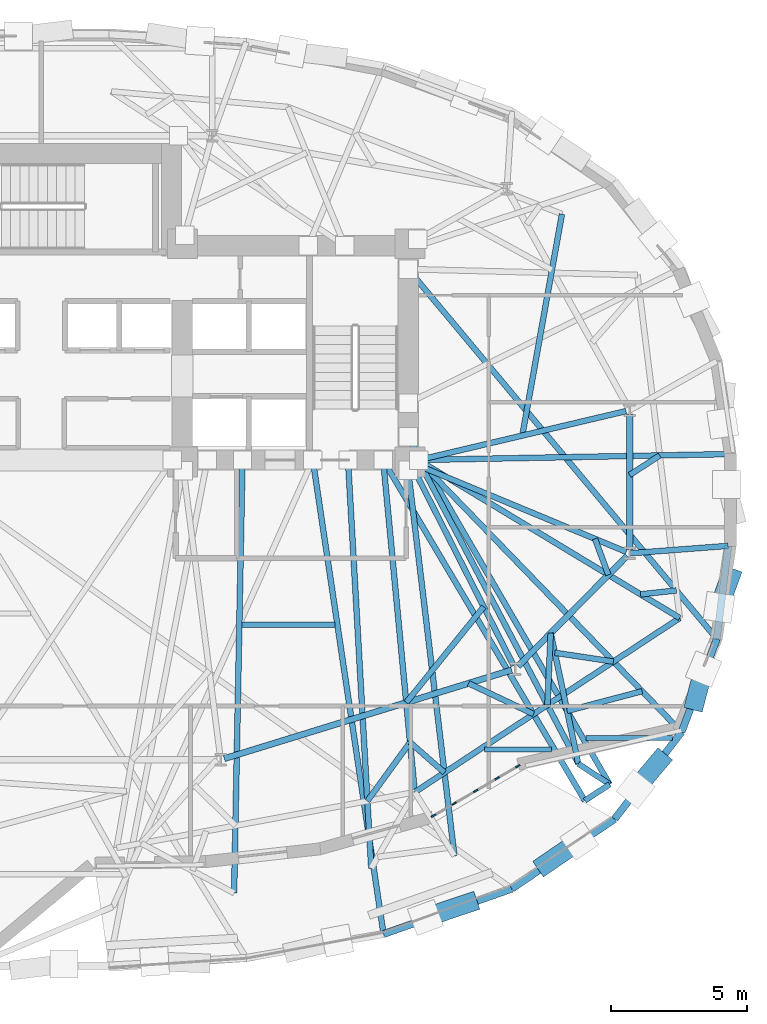
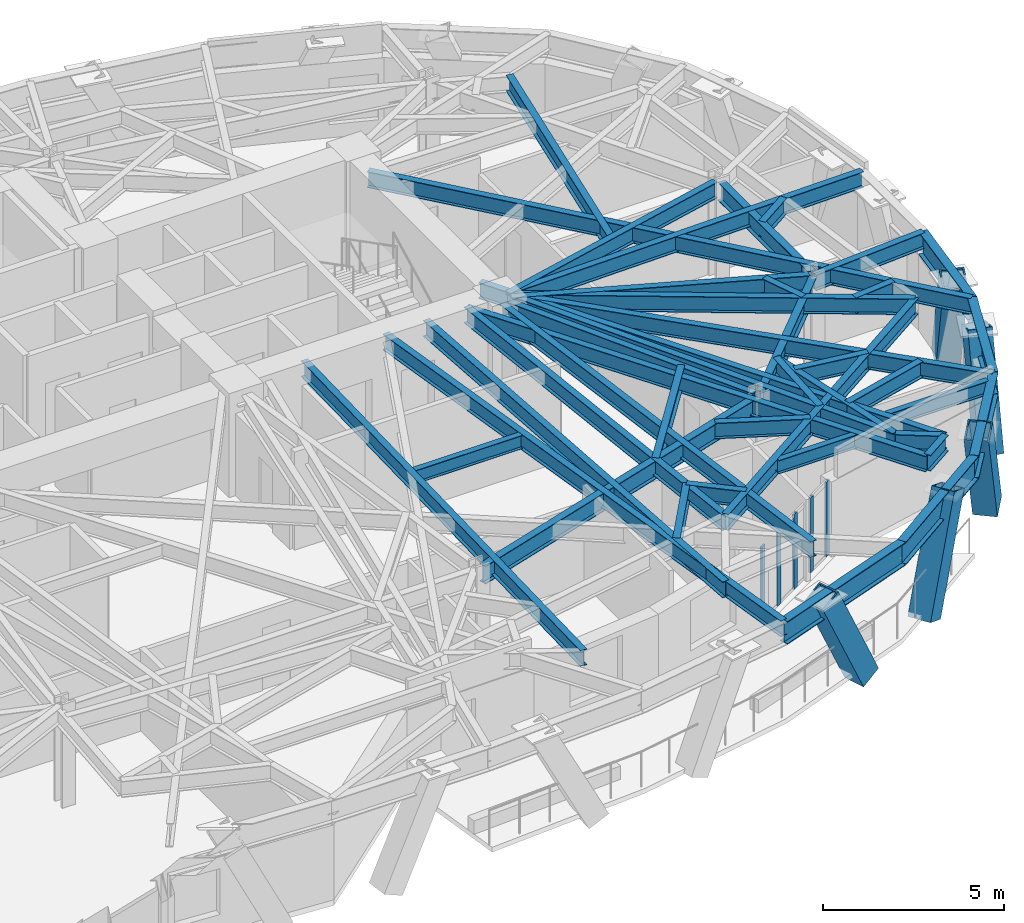
# One storey, part 4 of 14: 42 beams, 10 members, 1 element without a shape of its own.
"""IFC4 building model written with IfcOpenShell, lengths in metres."""

from ifc_helpers import new_model, si_unit, direction, frame, origin, origin_2d, place, context, subcontext, project, spatial, rectangle, hollow_rectangle, i_section, extrude, material, layer, layer_set, material_profile, profile_set, type_object, element, aggregate, save


model = new_model("IFC4")

# Units and contexts
model_context = context("Model", 3, precision=1e-05, world=origin(), true_north=direction((0.0, 1.0)))
body_context = subcontext(model_context, "Body", "Model", "MODEL_VIEW")
ifc_project = project(units=[si_unit("LENGTHUNIT", "METRE"), si_unit("AREAUNIT", "SQUARE_METRE"), si_unit("VOLUMEUNIT", "CUBIC_METRE"), si_unit("PLANEANGLEUNIT", "RADIAN"), si_unit("MASSUNIT", "GRAM", prefix="KILO")], contexts=[model_context])

# Site, building, storey
site_placement = place(None, origin())
site = spatial("IfcSite", under=ifc_project, at=site_placement, CompositionType="ELEMENT")
building_placement = place(site_placement, origin())
building = spatial("IfcBuilding", under=site, at=building_placement, Name="Keldmark Tower", CompositionType="ELEMENT")
storey_placement = place(building_placement, frame((0.0, 0.0, 128.10009765625)))
storey = spatial("IfcBuildingStorey", under=building, at=storey_placement, Name="L34", CompositionType="ELEMENT", Elevation=128.10009765625)

# Beams
ifc_material_1 = material(Name="Steel ASTM A992 Grade 50", Category="steel")
ifc_material_profile_1 = material_profile(ifc_material_1, i_section(OverallWidth=0.19091796875, OverallDepth=0.45703125, WebThickness=0.009033203125, FlangeThickness=0.014404296875, at=origin_2d()), Name="W18X50")
ifc_profile_set_1 = profile_set([ifc_material_profile_1], Name="Steel ASTM A992 Grade 50")
beam_type_1 = type_object("IfcBeamType", Name="Composite Floor Joist W18X50", PredefinedType="JOIST", material=ifc_profile_set_1)
beam_1_placement = place(storey_placement, frame((16.343994140625, -9.199951171875, 3.081298828125), z_axis=(1.0, 0.0, 0.0), x_axis=(0.0, 1.0, 0.0)))
element("IfcBeam", 1, at=beam_1_placement, inside=storey, type_object=beam_type_1, Name="L34 Composite Floor Joist J02", PredefinedType="JOIST", context=body_context, shape_type="SweptSolid", body=[
    extrude(i_section(OverallWidth=0.19091796875, OverallDepth=0.45703125, WebThickness=0.009033203125, FlangeThickness=0.014404296875, at=origin_2d()), origin(), (0.0, 0.0, 1.0), 2.465087890625),
])
beam_2_placement = place(storey_placement, frame((20.08203125, -8.780029296875, 3.081298828125), z_axis=(1.0, 0.0, 0.0), x_axis=(0.0, 1.0, 0.0)))
element("IfcBeam", 2, at=beam_2_placement, inside=storey, type_object=beam_type_1, Name="L34 Composite Floor Joist J03", PredefinedType="JOIST", context=body_context, shape_type="SweptSolid", body=[
    extrude(i_section(OverallWidth=0.19091796875, OverallDepth=0.45703125, WebThickness=0.009033203125, FlangeThickness=0.014404296875, at=origin_2d()), origin(), (0.0, 0.0, 1.0), 3.195556640625),
])
beam_3_placement = place(storey_placement, frame((7.3974609375, -4.60009765625, 3.081298828125), z_axis=(1.0, 0.0, 0.0), x_axis=(0.0, 1.0, 0.0)))
element("IfcBeam", 3, at=beam_3_placement, inside=storey, type_object=beam_type_1, Name="L34 Composite Floor Joist J06", PredefinedType="JOIST", context=body_context, shape_type="SweptSolid", body=[
    extrude(i_section(OverallWidth=0.19091796875, OverallDepth=0.45703125, WebThickness=0.009033203125, FlangeThickness=0.014404296875, at=origin_2d()), origin(), (0.0, 0.0, 1.0), 3.422607421875),
])

# Curtain wall, members
ifc_material_2 = material(Name="Unitized Thermally Broken Aluminum and Triple Low-E Glazing", Category="aluminium")
ifc_layer = layer(ifc_material_2, 0.219970703125)
ifc_layer_set = layer_set([ifc_layer], Name="Unitized Thermally Broken Aluminum and Triple Low-E Glazing")
curtain_wall_type = type_object("IfcCurtainWallType", Name="Spiralling Sky-Garden Feature Curtain Wall System", PredefinedType="NOTDEFINED", material=ifc_layer_set)
curtain_wall_placement = place(storey_placement, origin())
curtain_wall = element("IfcCurtainWall", 4, at=curtain_wall_placement, inside=storey, type_object=curtain_wall_type, Name="L34 Spiralling Sky-Garden Feature Curtain Wall System CW-L34-28", PredefinedType="NOTDEFINED")
ifc_material_3 = material(Name="Extruded Aluminum Alloy 6063-T6", Category="aluminium")
ifc_material_profile_2 = material_profile(ifc_material_3, rectangle(XDim=0.06005859375, YDim=0.179931640625, at=origin_2d()), Name="CWM60X180")
ifc_profile_set_2 = profile_set([ifc_material_profile_2], Name="Extruded Aluminum Alloy 6063-T6")
member_type_1 = type_object("IfcMemberType", Name="Curtain Wall Structural Mullion 60x180", PredefinedType="MULLION", material=ifc_profile_set_2)
member_1_placement = place(storey_placement, frame((17.568603515625, -9.815673828125, 0.0), z_axis=(0.0, 0.0, 1.0), x_axis=(0.506625368511, -0.862166304132, 0.0)))
member_1 = element("IfcMember", 5, at=member_1_placement, type_object=member_type_1, Name="CW mullion 1", PredefinedType="MULLION", context=body_context, shape_type="SweptSolid", body=[
    extrude(rectangle(XDim=0.06005859375, YDim=0.179931640625, at=origin_2d()), origin(), (0.0, 0.0, 1.0), 2.52783203125),
])
member_2_placement = place(storey_placement, frame((16.8046875, -10.2646484375, 0.0), z_axis=(0.0, 0.0, 1.0), x_axis=(0.506625368511, -0.862166304132, 0.0)))
member_2 = element("IfcMember", 6, at=member_2_placement, type_object=member_type_1, Name="CW mullion 2", PredefinedType="MULLION", context=body_context, shape_type="SweptSolid", body=[
    extrude(rectangle(XDim=0.06005859375, YDim=0.179931640625, at=origin_2d()), origin(), (0.0, 0.0, 1.0), 2.52783203125),
])
member_3_placement = place(storey_placement, frame((16.0146484375, -10.728759765625, 0.0), z_axis=(0.0, 0.0, 1.0), x_axis=(0.506625368511, -0.862166304132, 0.0)))
member_3 = element("IfcMember", 7, at=member_3_placement, type_object=member_type_1, Name="CW mullion 3", PredefinedType="MULLION", context=body_context, shape_type="SweptSolid", body=[
    extrude(rectangle(XDim=0.06005859375, YDim=0.179931640625, at=origin_2d()), origin(), (0.0, 0.0, 1.0), 2.52783203125),
])
member_4_placement = place(storey_placement, frame((15.224609375, -11.193115234375, 0.0), z_axis=(0.0, 0.0, 1.0), x_axis=(0.506625368511, -0.862166304132, 0.0)))
member_4 = element("IfcMember", 8, at=member_4_placement, type_object=member_type_1, Name="CW mullion 4", PredefinedType="MULLION", context=body_context, shape_type="SweptSolid", body=[
    extrude(rectangle(XDim=0.06005859375, YDim=0.179931640625, at=origin_2d()), origin(), (0.0, 0.0, 1.0), 2.52783203125),
])
member_5_placement = place(storey_placement, frame((14.460693359375, -11.64208984375, 0.0), z_axis=(0.0, 0.0, 1.0), x_axis=(0.506625368511, -0.862166304132, 0.0)))
member_5 = element("IfcMember", 9, at=member_5_placement, type_object=member_type_1, Name="CW mullion 5", PredefinedType="MULLION", context=body_context, shape_type="SweptSolid", body=[
    extrude(rectangle(XDim=0.06005859375, YDim=0.179931640625, at=origin_2d()), origin(), (0.0, 0.0, 1.0), 2.52783203125),
])
aggregate(curtain_wall, [member_1, member_2, member_3, member_4, member_5])

# Members
ifc_material_4 = material(Name="Steel ASTM A572 Grade 50", Category="steel")
ifc_material_profile_3 = material_profile(ifc_material_4, hollow_rectangle(XDim=0.699951171875, YDim=0.699951171875, WallThickness=0.044921875, at=origin_2d()), Name="BOX700X700X45")
ifc_profile_set_3 = profile_set([ifc_material_profile_3], Name="Steel ASTM A572 Grade 50")
member_type_2 = type_object("IfcMemberType", Name="Diagrid Zone 2 Brace BOX700X700X45", PredefinedType="BRACE", material=ifc_profile_set_3)
member_6_placement = place(storey_placement, frame((15.763427734375, -14.86083984375, -0.27001953125), z_axis=(-0.414660177655, -0.139341048222, 0.899244688251), x_axis=(0.318533150805, -0.947911721543, 0.0)))
element("IfcMember", 10, at=member_6_placement, inside=storey, type_object=member_type_2, Name="L34 Perimeter Diagrid Brace 14A", PredefinedType="BRACE", context=body_context, shape_type="SweptSolid", body=[
    extrude(hollow_rectangle(XDim=0.699951171875, YDim=0.699951171875, WallThickness=0.044921875, at=origin_2d()), origin(), (0.0, 0.0, 1.0), 3.84765625),
])
member_7_placement = place(storey_placement, frame((18.5810546875, -13.434814453125, -0.27001953125), z_axis=(0.332866052083, 0.227549945207, 0.915107214378), x_axis=(-0.564345149751, 0.825538946358, 0.0)))
element("IfcMember", 11, at=member_7_placement, inside=storey, type_object=member_type_2, Name="L34 Perimeter Diagrid Brace 14B", PredefinedType="BRACE", context=body_context, shape_type="SweptSolid", body=[
    extrude(hollow_rectangle(XDim=0.699951171875, YDim=0.699951171875, WallThickness=0.044921875, at=origin_2d()), origin(), (0.0, 0.0, 1.0), 3.781005859375),
])
member_8_placement = place(storey_placement, frame((22.799072265625, -9.60888671875, -0.27001953125), z_axis=(-0.23692186359, -0.281537445768, 0.929841221491), x_axis=(0.765128479002, -0.643877636373, 0.0)))
element("IfcMember", 12, at=member_8_placement, inside=storey, type_object=member_type_2, Name="L34 Perimeter Diagrid Brace 15A", PredefinedType="BRACE", context=body_context, shape_type="SweptSolid", body=[
    extrude(hollow_rectangle(XDim=0.699951171875, YDim=0.699951171875, WallThickness=0.044921875, at=origin_2d()), origin(), (0.0, 0.0, 1.0), 3.720947265625),
])
member_9_placement = place(storey_placement, frame((24.11376953125, -7.41796875, -0.27001953125), z_axis=(0.084258205275, 0.321325920274, 0.943212705493), x_axis=(-0.967297354931, 0.253645081057, 0.0)))
element("IfcMember", 13, at=member_9_placement, inside=storey, type_object=member_type_2, Name="L34 Perimeter Diagrid Brace 15B", PredefinedType="BRACE", context=body_context, shape_type="SweptSolid", body=[
    extrude(hollow_rectangle(XDim=0.699951171875, YDim=0.699951171875, WallThickness=0.044921875, at=origin_2d()), origin(), (0.0, 0.0, 1.0), 3.668212890625),
])
member_10_placement = place(storey_placement, frame((25.397216796875, -2.844970703125, -0.27001953125), z_axis=(-0.110913818266, -0.305313308404, 0.945770536985), x_axis=(0.939901346585, -0.34144612853, 0.0)))
element("IfcMember", 14, at=member_10_placement, inside=storey, type_object=member_type_2, Name="L34 Perimeter Diagrid Brace 16A", PredefinedType="BRACE", context=body_context, shape_type="SweptSolid", body=[
    extrude(hollow_rectangle(XDim=0.699951171875, YDim=0.699951171875, WallThickness=0.044921875, at=origin_2d()), origin(), (0.0, 0.0, 1.0), 3.658447265625),
])

# Beams
ifc_material_5 = material(Name="Steel ASTM A992 Grade 50", Category="steel")
ifc_material_profile_4 = material_profile(ifc_material_5, i_section(OverallWidth=0.22900390625, OverallDepth=0.612060546875, WebThickness=0.011962890625, FlangeThickness=0.01953125, at=origin_2d()), Name="W24X84")
ifc_profile_set_4 = profile_set([ifc_material_profile_4], Name="Steel ASTM A992 Grade 50")
beam_type_2 = type_object("IfcBeamType", Name="Primary Floor Girder W24X84", PredefinedType="BEAM", material=ifc_profile_set_4)
beam_4_placement = place(storey_placement, frame((6.74658203125, -9.5380859375, 3.00390625), z_axis=(0.955607954968, 0.294641199432, 0.0), x_axis=(-0.294641199432, 0.955607954968, 0.0)))
element("IfcBeam", 15, at=beam_4_placement, inside=storey, type_object=beam_type_2, Name="L34 Floor Ring Girder FG-R10", PredefinedType="BEAM", context=body_context, shape_type="SweptSolid", body=[
    extrude(i_section(OverallWidth=0.22900390625, OverallDepth=0.612060546875, WebThickness=0.011962890625, FlangeThickness=0.01953125, at=origin_2d()), origin(), (0.0, 0.0, 1.0), 11.089111328125),
])
beam_5_placement = place(storey_placement, frame((17.57568359375, -6.130126953125, 3.00390625), z_axis=(0.703425791323, 0.71076870788, 0.0), x_axis=(-0.71076870788, 0.703425791323, 0.0)))
element("IfcBeam", 16, at=beam_5_placement, inside=storey, type_object=beam_type_2, Name="L34 Floor Ring Girder FG-R11", PredefinedType="BEAM", context=body_context, shape_type="SweptSolid", body=[
    extrude(i_section(OverallWidth=0.22900390625, OverallDepth=0.612060546875, WebThickness=0.011962890625, FlangeThickness=0.01953125, at=origin_2d()), origin(), (0.0, 0.0, 1.0), 5.71875),
])
beam_6_placement = place(storey_placement, frame((21.697021484375, -1.825927734375, 3.00390625), z_axis=(0.0, 1.0, 0.0), x_axis=(-1.0, 0.0, 0.0)))
element("IfcBeam", 17, at=beam_6_placement, inside=storey, type_object=beam_type_2, Name="L34 Floor Ring Girder FG-R12", PredefinedType="BEAM", context=body_context, shape_type="SweptSolid", body=[
    extrude(i_section(OverallWidth=0.22900390625, OverallDepth=0.612060546875, WebThickness=0.011962890625, FlangeThickness=0.01953125, at=origin_2d()), origin(), (0.0, 0.0, 1.0), 4.995849609375),
])
ifc_material_6 = material(Name="Steel ASTM A992 Grade 50", Category="steel")
ifc_material_profile_5 = material_profile(ifc_material_6, i_section(OverallWidth=0.2099609375, OverallDepth=0.537109375, WebThickness=0.010986328125, FlangeThickness=0.017333984375, at=origin_2d()), Name="W21X68")
ifc_profile_set_5 = profile_set([ifc_material_profile_5], Name="Steel ASTM A992 Grade 50")
beam_type_3 = type_object("IfcBeamType", Name="Radial Tie Girder W21X68", PredefinedType="BEAM", material=ifc_profile_set_5)
beam_7_placement = place(storey_placement, frame((21.560546875, 3.27783203125, 3.04150390625), z_axis=(-0.973283778272, -0.229605502879, 0.0), x_axis=(0.229605502879, -0.973283778272, 0.0)))
element("IfcBeam", 18, at=beam_7_placement, inside=storey, type_object=beam_type_3, Name="L34 Floor Radial Girder FG-C01", PredefinedType="BEAM", context=body_context, shape_type="SweptSolid", body=[
    extrude(i_section(OverallWidth=0.2099609375, OverallDepth=0.537109375, WebThickness=0.010986328125, FlangeThickness=0.017333984375, at=origin_2d()), origin(), (0.0, 0.0, 1.0), 7.85888671875),
])
beam_8_placement = place(storey_placement, frame((17.413818359375, -6.104736328125, 3.04150390625), z_axis=(-0.453028637759, 0.891495963743, 0.0), x_axis=(-0.891495963743, -0.453028637759, 0.0)))
element("IfcBeam", 19, at=beam_8_placement, inside=storey, type_object=beam_type_3, Name="L34 Floor Radial Girder FG-C11", PredefinedType="BEAM", context=body_context, shape_type="SweptSolid", body=[
    extrude(i_section(OverallWidth=0.2099609375, OverallDepth=0.537109375, WebThickness=0.010986328125, FlangeThickness=0.017333984375, at=origin_2d()), origin(), (0.0, 0.0, 1.0), 8.09814453125),
])
beam_9_placement = place(storey_placement, frame((21.567626953125, -1.912109375, 3.04150390625), z_axis=(-0.923397393633, 0.383845350932, 0.0), x_axis=(-0.383845350932, -0.923397393633, 0.0)))
element("IfcBeam", 20, at=beam_9_placement, inside=storey, type_object=beam_type_3, Name="L34 Floor Radial Girder FG-C12", PredefinedType="BEAM", context=body_context, shape_type="SweptSolid", body=[
    extrude(i_section(OverallWidth=0.2099609375, OverallDepth=0.537109375, WebThickness=0.010986328125, FlangeThickness=0.017333984375, at=origin_2d()), origin(), (0.0, 0.0, 1.0), 8.30859375),
])
beam_10_placement = place(storey_placement, frame((17.736083984375, 2.375732421875, 3.04150390625), z_axis=(0.176199966005, 0.984354393488, 0.0), x_axis=(-0.984354393488, 0.176199966005, 0.0)))
element("IfcBeam", 21, at=beam_10_placement, inside=storey, type_object=beam_type_3, Name="L34 Sub-Ring Step Girder STP1-M01", PredefinedType="BEAM", context=body_context, shape_type="SweptSolid", body=[
    extrude(i_section(OverallWidth=0.2099609375, OverallDepth=0.537109375, WebThickness=0.010986328125, FlangeThickness=0.017333984375, at=origin_2d()), origin(), (0.0, 0.0, 1.0), 8.29833984375),
])
beam_11_placement = place(storey_placement, frame((16.313232421875, -3.93896484375, 3.04150390625), z_axis=(-0.629077596692, -0.77734250967, 0.0), x_axis=(0.77734250967, -0.629077596692, 0.0)))
element("IfcBeam", 22, at=beam_11_placement, inside=storey, type_object=beam_type_3, Name="L34 Framing Pin Header PH-008", PredefinedType="BEAM", context=body_context, shape_type="SweptSolid", body=[
    extrude(i_section(OverallWidth=0.2099609375, OverallDepth=0.537109375, WebThickness=0.010986328125, FlangeThickness=0.017333984375, at=origin_2d()), origin(), (0.0, 0.0, 1.0), 4.54150390625),
])
beam_12_placement = place(storey_placement, frame((12.603515625, 1.47509765625, 3.04150390625), z_axis=(0.09490741363, -0.995486103789, 0.0), x_axis=(0.995486103789, 0.09490741363, 0.0)))
element("IfcBeam", 23, at=beam_12_placement, inside=storey, type_object=beam_type_3, Name="L34 Sub-Ring Step Girder STP2-M11", PredefinedType="BEAM", context=body_context, shape_type="SweptSolid", body=[
    extrude(i_section(OverallWidth=0.2099609375, OverallDepth=0.537109375, WebThickness=0.010986328125, FlangeThickness=0.017333984375, at=origin_2d()), origin(), (0.0, 0.0, 1.0), 12.3037109375),
])
beam_13_placement = place(storey_placement, frame((20.416748046875, -1.433837890625, 3.04150390625), z_axis=(0.348476572604, -0.937317490686, 0.0), x_axis=(0.937317490686, 0.348476572604, 0.0)))
element("IfcBeam", 24, at=beam_13_placement, inside=storey, type_object=beam_type_3, Name="L34 Framing Pin Header PH-009", PredefinedType="BEAM", context=body_context, shape_type="SweptSolid", body=[
    extrude(i_section(OverallWidth=0.2099609375, OverallDepth=0.537109375, WebThickness=0.010986328125, FlangeThickness=0.017333984375, at=origin_2d()), origin(), (0.0, 0.0, 1.0), 1.416015625),
])
beam_14_placement = place(storey_placement, frame((13.89990234375, 1.47509765625, 3.04150390625), z_axis=(0.85587497729, -0.517182775476, 0.0), x_axis=(0.517182775476, 0.85587497729, 0.0)))
element("IfcBeam", 25, at=beam_14_placement, inside=storey, type_object=beam_type_3, Name="L34 Sub-Ring Step Girder STP2-M12", PredefinedType="BEAM", context=body_context, shape_type="SweptSolid", body=[
    extrude(i_section(OverallWidth=0.2099609375, OverallDepth=0.537109375, WebThickness=0.010986328125, FlangeThickness=0.017333984375, at=origin_2d()), origin(), (0.0, 0.0, 1.0), 11.2666015625),
])
beam_15_placement = place(storey_placement, frame((13.771240234375, -10.773193359375, 3.04150390625), z_axis=(0.835700551324, 0.549185386292, 0.0), x_axis=(-0.549185386292, 0.835700551324, 0.0)))
element("IfcBeam", 26, at=beam_15_placement, inside=storey, type_object=beam_type_3, Name="L34 Perimeter Collector Ring Beam CRG2-M11", PredefinedType="BEAM", context=body_context, shape_type="SweptSolid", body=[
    extrude(i_section(OverallWidth=0.2099609375, OverallDepth=0.537109375, WebThickness=0.010986328125, FlangeThickness=0.017333984375, at=origin_2d()), origin(), (0.0, 0.0, 1.0), 11.692626953125),
])
beam_16_placement = place(storey_placement, frame((21.697021484375, 0.921875, 3.04150390625), z_axis=(0.837360339253, 0.54665131688, 0.0), x_axis=(-0.54665131688, 0.837360339253, 0.0)))
element("IfcBeam", 27, at=beam_16_placement, inside=storey, type_object=beam_type_3, Name="L34 Framing Pin Header PH-010", PredefinedType="BEAM", context=body_context, shape_type="SweptSolid", body=[
    extrude(i_section(OverallWidth=0.2099609375, OverallDepth=0.537109375, WebThickness=0.010986328125, FlangeThickness=0.017333984375, at=origin_2d()), origin(), (0.0, 0.0, 1.0), 1.320068359375),
])
beam_17_placement = place(storey_placement, frame((13.89990234375, 1.47509765625, 3.04150390625), z_axis=(0.999820921481, 0.018924190054, 0.0), x_axis=(-0.018924190054, 0.999820921481, 0.0)))
element("IfcBeam", 28, at=beam_17_placement, inside=storey, type_object=beam_type_3, Name="L34 Perimeter Radial Tie Girder RT-01", PredefinedType="BEAM", context=body_context, shape_type="SweptSolid", body=[
    extrude(i_section(OverallWidth=0.2099609375, OverallDepth=0.537109375, WebThickness=0.010986328125, FlangeThickness=0.017333984375, at=origin_2d()), origin(), (0.0, 0.0, 1.0), 11.43017578125),
])
beam_18_placement = place(storey_placement, frame((7.41796875, 1.47509765625, 3.04150390625), z_axis=(-0.019379404319, -0.99981220171, 0.0), x_axis=(0.99981220171, -0.019379404319, 0.0)))
element("IfcBeam", 29, at=beam_18_placement, inside=storey, type_object=beam_type_3, Name="L34 Intermediate Radial Step Girder RT-26M", PredefinedType="BEAM", context=body_context, shape_type="SweptSolid", body=[
    extrude(i_section(OverallWidth=0.2099609375, OverallDepth=0.537109375, WebThickness=0.010986328125, FlangeThickness=0.017333984375, at=origin_2d()), origin(), (0.0, 0.0, 1.0), 15.97412109375),
])
beam_19_placement = place(storey_placement, frame((13.59619140625, -8.93603515625, 3.04150390625), z_axis=(-0.587721150887, -0.809063562892, 0.0), x_axis=(0.809063562892, -0.587721150887, 0.0)))
element("IfcBeam", 30, at=beam_19_placement, inside=storey, type_object=beam_type_3, Name="L34 Framing Pin Header PH-031", PredefinedType="BEAM", context=body_context, shape_type="SweptSolid", body=[
    extrude(i_section(OverallWidth=0.2099609375, OverallDepth=0.537109375, WebThickness=0.010986328125, FlangeThickness=0.017333984375, at=origin_2d()), origin(), (0.0, 0.0, 1.0), 2.6748046875),
])
beam_20_placement = place(storey_placement, frame((11.30712890625, 1.47509765625, 3.04150390625), z_axis=(0.056929474653, -0.998378202344, 0.0), x_axis=(0.998378202344, 0.056929474653, 0.0)))
element("IfcBeam", 31, at=beam_20_placement, inside=storey, type_object=beam_type_3, Name="L34 Intermediate Radial Step Girder RT-27M", PredefinedType="BEAM", context=body_context, shape_type="SweptSolid", body=[
    extrude(i_section(OverallWidth=0.2099609375, OverallDepth=0.537109375, WebThickness=0.010986328125, FlangeThickness=0.017333984375, at=origin_2d()), origin(), (0.0, 0.0, 1.0), 15.08251953125),
])
beam_21_placement = place(storey_placement, frame((10.0107421875, 1.47509765625, 3.04150390625), z_axis=(0.147565728508, -0.989052251284, 0.0), x_axis=(0.989052251284, 0.147565728508, 0.0)))
element("IfcBeam", 32, at=beam_21_placement, inside=storey, type_object=beam_type_3, Name="L34 Perimeter Radial Tie Girder RT-27", PredefinedType="BEAM", context=body_context, shape_type="SweptSolid", body=[
    extrude(i_section(OverallWidth=0.2099609375, OverallDepth=0.537109375, WebThickness=0.010986328125, FlangeThickness=0.017333984375, at=origin_2d()), origin(), (0.0, 0.0, 1.0), 17.67626953125),
])
beam_22_placement = place(storey_placement, frame((13.59619140625, -8.93603515625, 3.04150390625), z_axis=(0.750301033133, -0.661096331618, 0.0), x_axis=(0.661096331618, 0.750301033133, 0.0)))
element("IfcBeam", 33, at=beam_22_placement, inside=storey, type_object=beam_type_3, Name="L34 Framing Pin Header PH-032", PredefinedType="BEAM", context=body_context, shape_type="SweptSolid", body=[
    extrude(i_section(OverallWidth=0.2099609375, OverallDepth=0.537109375, WebThickness=0.010986328125, FlangeThickness=0.017333984375, at=origin_2d()), origin(), (0.0, 0.0, 1.0), 1.69140625),
])
beam_23_placement = place(storey_placement, frame((13.52490234375, 1.10009765625, 3.04150390625), z_axis=(0.119295728636, -0.992858765953, 0.0), x_axis=(0.992858765953, 0.119295728636, 0.0)))
element("IfcBeam", 34, at=beam_23_placement, inside=storey, type_object=beam_type_3, Name="L34 Intermediate Radial Step Girder RT-28M", PredefinedType="BEAM", context=body_context, shape_type="SweptSolid", body=[
    extrude(i_section(OverallWidth=0.2099609375, OverallDepth=0.537109375, WebThickness=0.010986328125, FlangeThickness=0.017333984375, at=origin_2d()), origin(), (0.0, 0.0, 1.0), 14.32763671875),
])
beam_24_placement = place(storey_placement, frame((18.78271484375, -4.91064453125, 3.04150390625), z_axis=(-0.045933772496, -0.998944487219, 0.0), x_axis=(0.998944487219, -0.045933772496, 0.0)))
element("IfcBeam", 35, at=beam_24_placement, inside=storey, type_object=beam_type_3, Name="L34 Framing Pin Header PH-034", PredefinedType="BEAM", context=body_context, shape_type="SweptSolid", body=[
    extrude(i_section(OverallWidth=0.2099609375, OverallDepth=0.537109375, WebThickness=0.010986328125, FlangeThickness=0.017333984375, at=origin_2d()), origin(), (0.0, 0.0, 1.0), 2.652099609375),
])
beam_25_placement = place(storey_placement, frame((13.89990234375, 1.47509765625, 3.04150390625), z_axis=(0.466169946117, -0.884695191203, 0.0), x_axis=(0.884695191203, 0.466169946117, 0.0)))
element("IfcBeam", 36, at=beam_25_placement, inside=storey, type_object=beam_type_3, Name="L34 Intermediate Radial Step Girder RT-29M", PredefinedType="BEAM", context=body_context, shape_type="SweptSolid", body=[
    extrude(i_section(OverallWidth=0.2099609375, OverallDepth=0.537109375, WebThickness=0.010986328125, FlangeThickness=0.017333984375, at=origin_2d()), origin(), (0.0, 0.0, 1.0), 12.661865234375),
])
beam_26_placement = place(storey_placement, frame((18.78271484375, -4.91064453125, 3.04150390625), z_axis=(0.207147547479, -0.978309712501, 0.0), x_axis=(0.978309712501, 0.207147547479, 0.0)))
element("IfcBeam", 37, at=beam_26_placement, inside=storey, type_object=beam_type_3, Name="L34 Local Collector Chord RT-29C", PredefinedType="BEAM", context=body_context, shape_type="SweptSolid", body=[
    extrude(i_section(OverallWidth=0.2099609375, OverallDepth=0.537109375, WebThickness=0.010986328125, FlangeThickness=0.017333984375, at=origin_2d()), origin(), (0.0, 0.0, 1.0), 4.9228515625),
])
beam_27_placement = place(storey_placement, frame((18.935546875, -5.633056640625, 3.04150390625), z_axis=(0.988758598101, -0.149520683122, 0.0), x_axis=(0.149520683122, 0.988758598101, 0.0)))
element("IfcBeam", 38, at=beam_27_placement, inside=storey, type_object=beam_type_3, Name="L34 Framing Pin Header PH-035", PredefinedType="BEAM", context=body_context, shape_type="SweptSolid", body=[
    extrude(i_section(OverallWidth=0.2099609375, OverallDepth=0.537109375, WebThickness=0.010986328125, FlangeThickness=0.017333984375, at=origin_2d()), origin(), (0.0, 0.0, 1.0), 2.184814453125),
])
beam_28_placement = place(storey_placement, frame((13.89990234375, 1.47509765625, 3.04150390625), z_axis=(0.695470366525, -0.718554778208, 0.0), x_axis=(0.718554778208, 0.695470366525, 0.0)))
element("IfcBeam", 39, at=beam_28_placement, inside=storey, type_object=beam_type_3, Name="L34 Perimeter Radial Tie Girder RT-30", PredefinedType="BEAM", context=body_context, shape_type="SweptSolid", body=[
    extrude(i_section(OverallWidth=0.2099609375, OverallDepth=0.537109375, WebThickness=0.010986328125, FlangeThickness=0.017333984375, at=origin_2d()), origin(), (0.0, 0.0, 1.0), 13.960205078125),
])
beam_29_placement = place(storey_placement, frame((22.09619140625, -3.477783203125, 3.04150390625), z_axis=(0.994284797582, 0.106760204656, 0.0), x_axis=(-0.106760204656, 0.994284797582, 0.0)))
element("IfcBeam", 40, at=beam_29_placement, inside=storey, type_object=beam_type_3, Name="L34 Framing Pin Header PH-036", PredefinedType="BEAM", context=body_context, shape_type="SweptSolid", body=[
    extrude(i_section(OverallWidth=0.2099609375, OverallDepth=0.537109375, WebThickness=0.010986328125, FlangeThickness=0.017333984375, at=origin_2d()), origin(), (0.0, 0.0, 1.0), 1.32861328125),
])
beam_30_placement = place(storey_placement, frame((13.52490234375, 8.514404296875, 3.04150390625), z_axis=(0.640833018048, -0.767680299982, 0.0), x_axis=(0.767680299982, 0.640833018048, 0.0)))
element("IfcBeam", 41, at=beam_30_placement, inside=storey, type_object=beam_type_3, Name="L34 Perimeter Radial Tie Girder RT-31", PredefinedType="BEAM", context=body_context, shape_type="SweptSolid", body=[
    extrude(i_section(OverallWidth=0.2099609375, OverallDepth=0.537109375, WebThickness=0.010986328125, FlangeThickness=0.017333984375, at=origin_2d()), origin(), (0.0, 0.0, 1.0), 17.764892578125),
])
beam_31_placement = place(storey_placement, frame((21.697021484375, -1.9658203125, 3.04150390625), z_axis=(0.99715652096, 0.07535829554, 0.0), x_axis=(-0.07535829554, 0.99715652096, 0.0)))
element("IfcBeam", 42, at=beam_31_placement, inside=storey, type_object=beam_type_3, Name="L34 Perimeter Column Bracket RT-32", PredefinedType="BEAM", context=body_context, shape_type="SweptSolid", body=[
    extrude(i_section(OverallWidth=0.2099609375, OverallDepth=0.537109375, WebThickness=0.010986328125, FlangeThickness=0.017333984375, at=origin_2d()), origin(), (0.0, 0.0, 1.0), 3.641357421875),
])
beam_32_placement = place(storey_placement, frame((22.152587890625, -7.051513671875, 3.04150390625), z_axis=(-0.96698259341, -0.254842429832, 0.0), x_axis=(0.254842429832, -0.96698259341, 0.0)))
element("IfcBeam", 43, at=beam_32_placement, inside=storey, type_object=beam_type_3, Name="L34 Framing Pin Header PH-040", PredefinedType="BEAM", context=body_context, shape_type="SweptSolid", body=[
    extrude(i_section(OverallWidth=0.2099609375, OverallDepth=0.537109375, WebThickness=0.010986328125, FlangeThickness=0.017333984375, at=origin_2d()), origin(), (0.0, 0.0, 1.0), 2.856689453125),
])
beam_33_placement = place(storey_placement, frame((13.52490234375, 2.335693359375, 3.04150390625), z_axis=(0.501609601365, -0.865094103447, 0.0), x_axis=(0.865094103447, 0.501609601365, 0.0)))
element("IfcBeam", 44, at=beam_33_placement, inside=storey, type_object=beam_type_3, Name="L34 Crown Step Radial Girder RT-29RN1", PredefinedType="BEAM", context=body_context, shape_type="SweptSolid", body=[
    extrude(i_section(OverallWidth=0.2099609375, OverallDepth=0.537109375, WebThickness=0.010986328125, FlangeThickness=0.017333984375, at=origin_2d()), origin(), (0.0, 0.0, 1.0), 14.819091796875),
])
beam_34_placement = place(storey_placement, frame((20.958251953125, -10.484130859375, 3.04150390625), z_axis=(-0.83642761369, 0.548077409731, 0.0), x_axis=(-0.548077409731, -0.83642761369, 0.0)))
element("IfcBeam", 45, at=beam_34_placement, inside=storey, type_object=beam_type_3, Name="L34 Crown Step Collector Chord RT-29RP1", PredefinedType="BEAM", context=body_context, shape_type="SweptSolid", body=[
    extrude(i_section(OverallWidth=0.2099609375, OverallDepth=0.537109375, WebThickness=0.010986328125, FlangeThickness=0.017333984375, at=origin_2d()), origin(), (0.0, 0.0, 1.0), 1.3818359375),
])
beam_35_placement = place(storey_placement, frame((15.75390625, -6.760986328125, 3.04150390625), z_axis=(0.903711584352, -0.428141766601, 0.0), x_axis=(0.428141766601, 0.903711584352, 0.0)))
element("IfcBeam", 46, at=beam_35_placement, inside=storey, type_object=beam_type_3, Name="L34 Framing Pin Header PH-041", PredefinedType="BEAM", context=body_context, shape_type="SweptSolid", body=[
    extrude(i_section(OverallWidth=0.2099609375, OverallDepth=0.537109375, WebThickness=0.010986328125, FlangeThickness=0.017333984375, at=origin_2d()), origin(), (0.0, 0.0, 1.0), 2.651123046875),
])
beam_36_placement = place(storey_placement, frame((12.603515625, 1.47509765625, 3.04150390625), z_axis=(0.509329234981, -0.860571746221, 0.0), x_axis=(0.860571746221, 0.509329234981, 0.0)))
element("IfcBeam", 47, at=beam_36_placement, inside=storey, type_object=beam_type_3, Name="L34 Crown Step Radial Girder RT-29RN2", PredefinedType="BEAM", context=body_context, shape_type="SweptSolid", body=[
    extrude(i_section(OverallWidth=0.2099609375, OverallDepth=0.537109375, WebThickness=0.010986328125, FlangeThickness=0.017333984375, at=origin_2d()), origin(), (0.0, 0.0, 1.0), 14.5986328125),
])
beam_37_placement = place(storey_placement, frame((20.0390625, -11.088134765625, 3.04150390625), z_axis=(0.835720032795, 0.549155740009, 0.0), x_axis=(-0.549155740009, 0.835720032795, 0.0)))
element("IfcBeam", 48, at=beam_37_placement, inside=storey, type_object=beam_type_3, Name="L34 Crown Step Collector Chord RT-29RP2", PredefinedType="BEAM", context=body_context, shape_type="SweptSolid", body=[
    extrude(i_section(OverallWidth=0.2099609375, OverallDepth=0.537109375, WebThickness=0.010986328125, FlangeThickness=0.017333984375, at=origin_2d()), origin(), (0.0, 0.0, 1.0), 1.099853515625),
])
ifc_material_7 = material(Name="Steel ASTM A992 Grade 50", Category="steel")
ifc_material_profile_6 = material_profile(ifc_material_7, i_section(OverallWidth=0.26806640625, OverallDepth=0.77001953125, WebThickness=0.015625, FlangeThickness=0.025390625, at=origin_2d()), Name="W30X132")
ifc_profile_set_6 = profile_set([ifc_material_profile_6], Name="Steel ASTM A992 Grade 50")
beam_type_4 = type_object("IfcBeamType", Name="Spandrel Ring Beam W30X132", PredefinedType="SPANDREL", material=ifc_profile_set_6)
beam_38_placement = place(storey_placement, frame((12.619140625, -16.007568359375, 2.9248046875), z_axis=(0.942780868171, 0.333413009061, 0.0), x_axis=(-0.333413009061, 0.942780868171, 0.0)))
element("IfcBeam", 49, at=beam_38_placement, inside=storey, type_object=beam_type_4, Name="L34 Perimeter Spandrel Ring Beam SRB-27", PredefinedType="SPANDREL", context=body_context, shape_type="SweptSolid", body=[
    extrude(i_section(OverallWidth=0.26806640625, OverallDepth=0.77001953125, WebThickness=0.015625, FlangeThickness=0.025390625, at=origin_2d()), origin(), (0.0, 0.0, 1.0), 5.01806640625),
])
beam_39_placement = place(storey_placement, frame((17.35009765625, -14.33447265625, 2.9248046875), z_axis=(0.827687098101, 0.561189867725, 0.0), x_axis=(-0.561189867725, 0.827687098101, 0.0)))
element("IfcBeam", 50, at=beam_39_placement, inside=storey, type_object=beam_type_4, Name="L34 Perimeter Spandrel Ring Beam SRB-28", PredefinedType="SPANDREL", context=body_context, shape_type="SweptSolid", body=[
    extrude(i_section(OverallWidth=0.26806640625, OverallDepth=0.77001953125, WebThickness=0.015625, FlangeThickness=0.025390625, at=origin_2d()), origin(), (0.0, 0.0, 1.0), 4.58056640625),
])
beam_40_placement = place(storey_placement, frame((21.141357421875, -11.763916015625, 2.9248046875), z_axis=(0.609713676223, 0.792621746501, 0.0), x_axis=(-0.792621746501, 0.609713676223, 0.0)))
element("IfcBeam", 51, at=beam_40_placement, inside=storey, type_object=beam_type_4, Name="L34 Perimeter Spandrel Ring Beam SRB-29", PredefinedType="SPANDREL", context=body_context, shape_type="SweptSolid", body=[
    extrude(i_section(OverallWidth=0.26806640625, OverallDepth=0.77001953125, WebThickness=0.015625, FlangeThickness=0.025390625, at=origin_2d()), origin(), (0.0, 0.0, 1.0), 4.047119140625),
])
beam_41_placement = place(storey_placement, frame((23.60888671875, -8.55615234375, 2.9248046875), z_axis=(0.354219131363, 0.935162449511, 0.0), x_axis=(-0.935162449511, 0.354219131363, 0.0)))
element("IfcBeam", 52, at=beam_41_placement, inside=storey, type_object=beam_type_4, Name="L34 Perimeter Spandrel Ring Beam SRB-30", PredefinedType="SPANDREL", context=body_context, shape_type="SweptSolid", body=[
    extrude(i_section(OverallWidth=0.26806640625, OverallDepth=0.77001953125, WebThickness=0.015625, FlangeThickness=0.025390625, at=origin_2d()), origin(), (0.0, 0.0, 1.0), 3.6708984375),
])
beam_42_placement = place(storey_placement, frame((24.9091796875, -5.123291015625, 2.9248046875), z_axis=(0.121174866484, 0.992631176083, 0.0), x_axis=(-0.992631176083, 0.121174866484, 0.0)))
element("IfcBeam", 53, at=beam_42_placement, inside=storey, type_object=beam_type_4, Name="L34 Perimeter Spandrel Ring Beam SRB-31", PredefinedType="SPANDREL", context=body_context, shape_type="SweptSolid", body=[
    extrude(i_section(OverallWidth=0.26806640625, OverallDepth=0.77001953125, WebThickness=0.015625, FlangeThickness=0.025390625, at=origin_2d()), origin(), (0.0, 0.0, 1.0), 3.457275390625),
])

save(model, "model.ifc")
